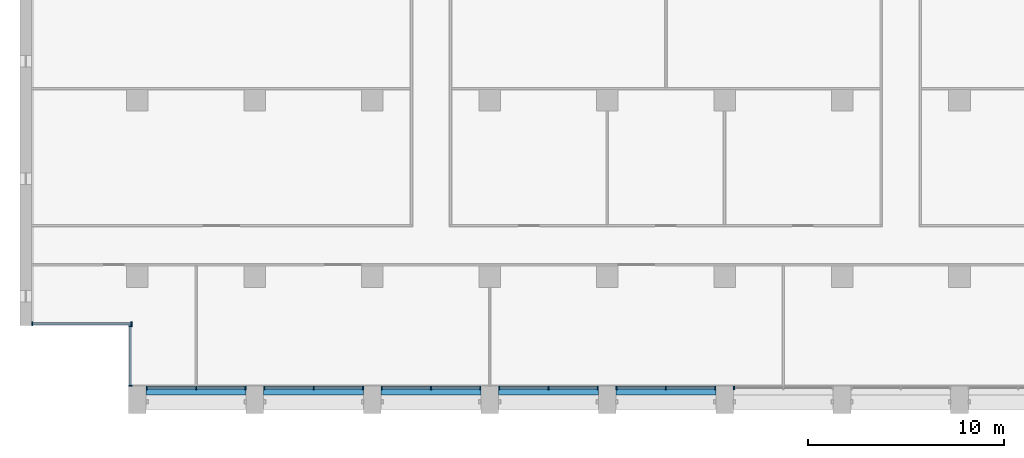
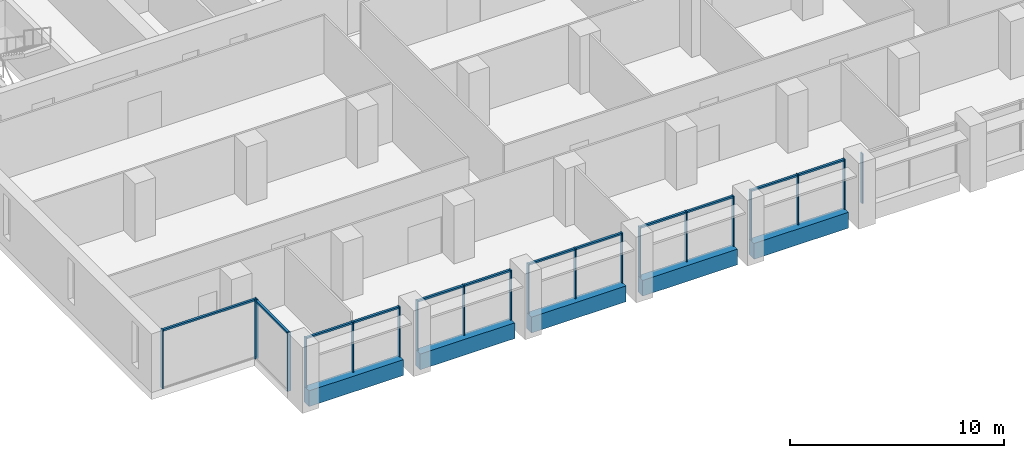
# One storey, part 2 of 17: 32 members, 5 beams, 8 elements without a shape of their own.
"""IFC4 building model written with IfcOpenShell, lengths in metres."""

from ifc_helpers import new_model, si_unit, direction, frame, origin, origin_2d, place, context, subcontext, project, spatial, rectangle, extrude, material, material_profile, profile_set, type_object, element, aggregate, save


model = new_model("IFC4")

# Units and contexts
model_context = context("Model", 3, precision=1e-05, world=origin(), true_north=direction((0.0, 1.0)))
body_context = subcontext(model_context, "Body", "Model", "MODEL_VIEW")
ifc_project = project(units=[si_unit("LENGTHUNIT", "METRE"), si_unit("AREAUNIT", "SQUARE_METRE"), si_unit("VOLUMEUNIT", "CUBIC_METRE"), si_unit("PLANEANGLEUNIT", "RADIAN"), si_unit("MASSUNIT", "GRAM", prefix="KILO")], contexts=[model_context])

# Site, building, storey
site_placement = place(None, origin())
site = spatial("IfcSite", under=ifc_project, at=site_placement, CompositionType="ELEMENT")
building_placement = place(site_placement, origin())
building = spatial("IfcBuilding", under=site, at=building_placement, Name="Calvaro Tower", CompositionType="ELEMENT")
storey_placement = place(building_placement, frame((0.0, 0.0, 189.25)))
storey = spatial("IfcBuildingStorey", under=building, at=storey_placement, Name="L47", CompositionType="ELEMENT", Elevation=189.25)

# Curtain wall, members
ifc_material_1 = material(Name="Anodised aluminium", Category="aluminium")
curtain_wall_type = type_object("IfcCurtainWallType", Name="Office curtain wall, upper zone", PredefinedType="NOTDEFINED", material=ifc_material_1)
curtain_wall_1_placement = place(storey_placement, origin())
curtain_wall_1 = element("IfcCurtainWall", 1, at=curtain_wall_1_placement, inside=storey, type_object=curtain_wall_type, Name="CW3 south curtain wall", PredefinedType="NOTDEFINED")
ifc_material_2 = material(Name="Anodised aluminium", Category="aluminium")
ifc_material_profile_1 = material_profile(ifc_material_2, rectangle(XDim=0.179931640625, YDim=0.06005859375, at=origin_2d()), Name="Mullion S3 60 x 180")
ifc_profile_set_1 = profile_set([ifc_material_profile_1], Name="Anodised aluminium")
member_type_1 = type_object("IfcMemberType", Name="Mullion S3 60 x 180", PredefinedType="MULLION", material=ifc_profile_set_1)
member_1_placement = place(storey_placement, frame((12.47998046875, 4.31005859375, 0.0), z_axis=(0.0, 0.0, 1.0), x_axis=(0.0, 1.0, 0.0)))
member_1 = element("IfcMember", 2, at=member_1_placement, type_object=member_type_1, Name="CW3 mullion 1", PredefinedType="MULLION", context=body_context, shape_type="SweptSolid", body=[
    extrude(rectangle(XDim=0.179931640625, YDim=0.06005859375, at=origin_2d()), origin(), (0.0, 0.0, 1.0), 2.85009765625),
])
member_2_placement = place(storey_placement, frame((15.0, 4.31005859375, 0.0), z_axis=(0.0, 0.0, 1.0), x_axis=(0.0, 1.0, 0.0)))
member_2 = element("IfcMember", 3, at=member_2_placement, type_object=member_type_1, Name="CW3 mullion 2", PredefinedType="MULLION", context=body_context, shape_type="SweptSolid", body=[
    extrude(rectangle(XDim=0.179931640625, YDim=0.06005859375, at=origin_2d()), origin(), (0.0, 0.0, 1.0), 2.85009765625),
])
member_3_placement = place(storey_placement, frame((17.52001953125, 4.31005859375, 0.0), z_axis=(0.0, 0.0, 1.0), x_axis=(0.0, 1.0, 0.0)))
member_3 = element("IfcMember", 4, at=member_3_placement, type_object=member_type_1, Name="CW3 mullion 3", PredefinedType="MULLION", context=body_context, shape_type="SweptSolid", body=[
    extrude(rectangle(XDim=0.179931640625, YDim=0.06005859375, at=origin_2d()), origin(), (0.0, 0.0, 1.0), 2.85009765625),
])

curtain_wall_2_placement = place(storey_placement, origin())
curtain_wall_2 = element("IfcCurtainWall", 5, at=curtain_wall_2_placement, inside=storey, type_object=curtain_wall_type, Name="CW3 south curtain wall", PredefinedType="NOTDEFINED")
member_4_placement = place(storey_placement, frame((18.47998046875, 4.31005859375, 0.0), z_axis=(0.0, 0.0, 1.0), x_axis=(0.0, 1.0, 0.0)))
member_4 = element("IfcMember", 6, at=member_4_placement, type_object=member_type_1, Name="CW3 mullion 1", PredefinedType="MULLION", context=body_context, shape_type="SweptSolid", body=[
    extrude(rectangle(XDim=0.179931640625, YDim=0.06005859375, at=origin_2d()), origin(), (0.0, 0.0, 1.0), 2.85009765625),
])
member_5_placement = place(storey_placement, frame((21.0, 4.31005859375, 0.0), z_axis=(0.0, 0.0, 1.0), x_axis=(0.0, 1.0, 0.0)))
member_5 = element("IfcMember", 7, at=member_5_placement, type_object=member_type_1, Name="CW3 mullion 2", PredefinedType="MULLION", context=body_context, shape_type="SweptSolid", body=[
    extrude(rectangle(XDim=0.179931640625, YDim=0.06005859375, at=origin_2d()), origin(), (0.0, 0.0, 1.0), 2.85009765625),
])
member_6_placement = place(storey_placement, frame((23.52001953125, 4.31005859375, 0.0), z_axis=(0.0, 0.0, 1.0), x_axis=(0.0, 1.0, 0.0)))
member_6 = element("IfcMember", 8, at=member_6_placement, type_object=member_type_1, Name="CW3 mullion 3", PredefinedType="MULLION", context=body_context, shape_type="SweptSolid", body=[
    extrude(rectangle(XDim=0.179931640625, YDim=0.06005859375, at=origin_2d()), origin(), (0.0, 0.0, 1.0), 2.85009765625),
])

curtain_wall_3_placement = place(storey_placement, origin())
curtain_wall_3 = element("IfcCurtainWall", 9, at=curtain_wall_3_placement, inside=storey, type_object=curtain_wall_type, Name="CW3 south curtain wall", PredefinedType="NOTDEFINED")
member_7_placement = place(storey_placement, frame((24.47998046875, 4.31005859375, 0.0), z_axis=(0.0, 0.0, 1.0), x_axis=(0.0, 1.0, 0.0)))
member_7 = element("IfcMember", 10, at=member_7_placement, type_object=member_type_1, Name="CW3 mullion 1", PredefinedType="MULLION", context=body_context, shape_type="SweptSolid", body=[
    extrude(rectangle(XDim=0.179931640625, YDim=0.06005859375, at=origin_2d()), origin(), (0.0, 0.0, 1.0), 2.85009765625),
])
member_8_placement = place(storey_placement, frame((27.0, 4.31005859375, 0.0), z_axis=(0.0, 0.0, 1.0), x_axis=(0.0, 1.0, 0.0)))
member_8 = element("IfcMember", 11, at=member_8_placement, type_object=member_type_1, Name="CW3 mullion 2", PredefinedType="MULLION", context=body_context, shape_type="SweptSolid", body=[
    extrude(rectangle(XDim=0.179931640625, YDim=0.06005859375, at=origin_2d()), origin(), (0.0, 0.0, 1.0), 2.85009765625),
])
member_9_placement = place(storey_placement, frame((29.52001953125, 4.31005859375, 0.0), z_axis=(0.0, 0.0, 1.0), x_axis=(0.0, 1.0, 0.0)))
member_9 = element("IfcMember", 12, at=member_9_placement, type_object=member_type_1, Name="CW3 mullion 3", PredefinedType="MULLION", context=body_context, shape_type="SweptSolid", body=[
    extrude(rectangle(XDim=0.179931640625, YDim=0.06005859375, at=origin_2d()), origin(), (0.0, 0.0, 1.0), 2.85009765625),
])

curtain_wall_4_placement = place(storey_placement, origin())
curtain_wall_4 = element("IfcCurtainWall", 13, at=curtain_wall_4_placement, inside=storey, type_object=curtain_wall_type, Name="CW3 south curtain wall", PredefinedType="NOTDEFINED")
member_10_placement = place(storey_placement, frame((30.47998046875, 4.31005859375, 0.0), z_axis=(0.0, 0.0, 1.0), x_axis=(0.0, 1.0, 0.0)))
member_10 = element("IfcMember", 14, at=member_10_placement, type_object=member_type_1, Name="CW3 mullion 1", PredefinedType="MULLION", context=body_context, shape_type="SweptSolid", body=[
    extrude(rectangle(XDim=0.179931640625, YDim=0.06005859375, at=origin_2d()), origin(), (0.0, 0.0, 1.0), 2.85009765625),
])
member_11_placement = place(storey_placement, frame((33.0, 4.31005859375, 0.0), z_axis=(0.0, 0.0, 1.0), x_axis=(0.0, 1.0, 0.0)))
member_11 = element("IfcMember", 15, at=member_11_placement, type_object=member_type_1, Name="CW3 mullion 2", PredefinedType="MULLION", context=body_context, shape_type="SweptSolid", body=[
    extrude(rectangle(XDim=0.179931640625, YDim=0.06005859375, at=origin_2d()), origin(), (0.0, 0.0, 1.0), 2.85009765625),
])
member_12_placement = place(storey_placement, frame((35.52001953125, 4.31005859375, 0.0), z_axis=(0.0, 0.0, 1.0), x_axis=(0.0, 1.0, 0.0)))
member_12 = element("IfcMember", 16, at=member_12_placement, type_object=member_type_1, Name="CW3 mullion 3", PredefinedType="MULLION", context=body_context, shape_type="SweptSolid", body=[
    extrude(rectangle(XDim=0.179931640625, YDim=0.06005859375, at=origin_2d()), origin(), (0.0, 0.0, 1.0), 2.85009765625),
])

curtain_wall_5_placement = place(storey_placement, origin())
curtain_wall_5 = element("IfcCurtainWall", 17, at=curtain_wall_5_placement, inside=storey, type_object=curtain_wall_type, Name="CW3 south curtain wall", PredefinedType="NOTDEFINED")
member_13_placement = place(storey_placement, frame((36.47998046875, 4.31005859375, 0.0), z_axis=(0.0, 0.0, 1.0), x_axis=(0.0, 1.0, 0.0)))
member_13 = element("IfcMember", 18, at=member_13_placement, type_object=member_type_1, Name="CW3 mullion 1", PredefinedType="MULLION", context=body_context, shape_type="SweptSolid", body=[
    extrude(rectangle(XDim=0.179931640625, YDim=0.06005859375, at=origin_2d()), origin(), (0.0, 0.0, 1.0), 2.85009765625),
])
member_14_placement = place(storey_placement, frame((39.0, 4.31005859375, 0.0), z_axis=(0.0, 0.0, 1.0), x_axis=(0.0, 1.0, 0.0)))
member_14 = element("IfcMember", 19, at=member_14_placement, type_object=member_type_1, Name="CW3 mullion 2", PredefinedType="MULLION", context=body_context, shape_type="SweptSolid", body=[
    extrude(rectangle(XDim=0.179931640625, YDim=0.06005859375, at=origin_2d()), origin(), (0.0, 0.0, 1.0), 2.85009765625),
])
member_15_placement = place(storey_placement, frame((41.52001953125, 4.31005859375, 0.0), z_axis=(0.0, 0.0, 1.0), x_axis=(0.0, 1.0, 0.0)))
member_15 = element("IfcMember", 20, at=member_15_placement, type_object=member_type_1, Name="CW3 mullion 3", PredefinedType="MULLION", context=body_context, shape_type="SweptSolid", body=[
    extrude(rectangle(XDim=0.179931640625, YDim=0.06005859375, at=origin_2d()), origin(), (0.0, 0.0, 1.0), 2.85009765625),
])

# Curtain wall, member
curtain_wall_6_placement = place(storey_placement, origin())
curtain_wall_6 = element("IfcCurtainWall", 21, at=curtain_wall_6_placement, inside=storey, type_object=curtain_wall_type, Name="CW3 south curtain wall", PredefinedType="NOTDEFINED")
member_16_placement = place(storey_placement, frame((42.47998046875, 4.31005859375, 0.0), z_axis=(0.0, 0.0, 1.0), x_axis=(0.0, 1.0, 0.0)))
member_16 = element("IfcMember", 22, at=member_16_placement, type_object=member_type_1, Name="CW3 mullion 1", PredefinedType="MULLION", context=body_context, shape_type="SweptSolid", body=[
    extrude(rectangle(XDim=0.179931640625, YDim=0.06005859375, at=origin_2d()), origin(), (0.0, 0.0, 1.0), 2.85009765625),
])
aggregate(curtain_wall_6, [member_16])

# Curtain wall, members
curtain_wall_7_placement = place(storey_placement, origin())
curtain_wall_7 = element("IfcCurtainWall", 23, at=curtain_wall_7_placement, inside=storey, type_object=curtain_wall_type, Name="CW3 corner curtain wall", PredefinedType="NOTDEFINED")
member_17_placement = place(storey_placement, frame((11.639892578125, 4.429931640625, 0.0), z_axis=(0.0, 0.0, 1.0), x_axis=(-1.0, 0.0, 0.0)))
member_17 = element("IfcMember", 24, at=member_17_placement, type_object=member_type_1, Name="CW3 mullion 1", PredefinedType="MULLION", context=body_context, shape_type="SweptSolid", body=[
    extrude(rectangle(XDim=0.179931640625, YDim=0.06005859375, at=origin_2d()), origin(), (0.0, 0.0, 1.0), 3.35009765625),
])
member_18_placement = place(storey_placement, frame((11.639892578125, 7.469970703125, 0.0), z_axis=(0.0, 0.0, 1.0), x_axis=(-1.0, 0.0, 0.0)))
member_18 = element("IfcMember", 25, at=member_18_placement, type_object=member_type_1, Name="CW3 mullion 2", PredefinedType="MULLION", context=body_context, shape_type="SweptSolid", body=[
    extrude(rectangle(XDim=0.179931640625, YDim=0.06005859375, at=origin_2d()), origin(), (0.0, 0.0, 1.0), 3.35009765625),
])

curtain_wall_8_placement = place(storey_placement, origin())
curtain_wall_8 = element("IfcCurtainWall", 26, at=curtain_wall_8_placement, inside=storey, type_object=curtain_wall_type, Name="CW3 corner curtain wall", PredefinedType="NOTDEFINED")
member_19_placement = place(storey_placement, frame((6.6298828125, 7.590087890625, 0.0), z_axis=(0.0, 0.0, 1.0), x_axis=(0.0, 1.0, 0.0)))
member_19 = element("IfcMember", 27, at=member_19_placement, type_object=member_type_1, Name="CW3 mullion 1", PredefinedType="MULLION", context=body_context, shape_type="SweptSolid", body=[
    extrude(rectangle(XDim=0.179931640625, YDim=0.06005859375, at=origin_2d()), origin(), (0.0, 0.0, 1.0), 3.35009765625),
])
member_20_placement = place(storey_placement, frame((11.699951171875, 7.590087890625, 0.0), z_axis=(0.0, 0.0, 1.0), x_axis=(0.0, 1.0, 0.0)))
member_20 = element("IfcMember", 28, at=member_20_placement, type_object=member_type_1, Name="CW3 mullion 2", PredefinedType="MULLION", context=body_context, shape_type="SweptSolid", body=[
    extrude(rectangle(XDim=0.179931640625, YDim=0.06005859375, at=origin_2d()), origin(), (0.0, 0.0, 1.0), 3.35009765625),
])

# Beams
ifc_material_3 = material(Name="Concrete C50/60 precast", Category="concrete")
ifc_material_profile_2 = material_profile(ifc_material_3, rectangle(XDim=0.449951171875, YDim=0.89990234375, at=origin_2d()), Name="RC 450x900")
ifc_profile_set_2 = profile_set([ifc_material_profile_2], Name="Concrete C50/60 precast")
beam_type = type_object("IfcBeamType", Name="Spandrel beam 450x900 C50/60", PredefinedType="SPANDREL", material=ifc_profile_set_2)
for number, where, z_axis, x_axis, name in (
    (29, (12.449951171875, 4.175048828125, -0.449951171875), (1.0, 0.0, 0.0), (0.0, 1.0, 0.0), "Spandrel beam"),
    (30, (18.449951171875, 4.175048828125, -0.449951171875), (1.0, 0.0, 0.0), (0.0, 1.0, 0.0), "Spandrel beam"),
    (31, (24.449951171875, 4.175048828125, -0.449951171875), (1.0, 0.0, 0.0), (0.0, 1.0, 0.0), "Spandrel beam"),
    (32, (30.449951171875, 4.175048828125, -0.449951171875), (1.0, 0.0, 0.0), (0.0, 1.0, 0.0), "Spandrel beam"),
    (33, (36.449951171875, 4.175048828125, -0.449951171875), (1.0, 0.0, 0.0), (0.0, 1.0, 0.0), "Spandrel beam"),
):
    element("IfcBeam", number, at=place(storey_placement, frame(where, z_axis=z_axis, x_axis=x_axis)), inside=storey, type_object=beam_type, Name=name, PredefinedType="SPANDREL", context=body_context, shape_type="SweptSolid", body=[
        extrude(rectangle(XDim=0.449951171875, YDim=0.89990234375, at=origin_2d()), origin(), (0.0, 0.0, 1.0), 5.10009765625),
    ])

# Member
ifc_material_4 = material(Name="Anodised aluminium", Category="aluminium")
ifc_material_profile_3 = material_profile(ifc_material_4, rectangle(XDim=0.1201171875, YDim=0.10009765625, at=origin_2d()), Name="Transom S3 100 x 120")
ifc_profile_set_3 = profile_set([ifc_material_profile_3], Name="Anodised aluminium")
member_type_2 = type_object("IfcMemberType", Name="Transom S3 100 x 120", PredefinedType="USERDEFINED", material=ifc_profile_set_3)
member_21_placement = place(storey_placement, frame((12.510009765625, 4.31005859375, 2.800048828125), z_axis=(1.0, 0.0, 0.0), x_axis=(0.0, 1.0, 0.0)))
member_21 = element("IfcMember", 34, at=member_21_placement, type_object=member_type_2, Name="CW3 transom 1.1", ObjectType="TRANSOM", PredefinedType="USERDEFINED", context=body_context, shape_type="SweptSolid", body=[
    extrude(rectangle(XDim=0.1201171875, YDim=0.10009765625, at=origin_2d()), origin(), (0.0, 0.0, 1.0), 2.4599609375),
])

member_22_placement = place(storey_placement, frame((15.030029296875, 4.31005859375, 2.800048828125), z_axis=(1.0, 0.0, 0.0), x_axis=(0.0, 1.0, 0.0)))
member_22 = element("IfcMember", 35, at=member_22_placement, type_object=member_type_2, Name="CW3 transom 2.1", ObjectType="TRANSOM", PredefinedType="USERDEFINED", context=body_context, shape_type="SweptSolid", body=[
    extrude(rectangle(XDim=0.1201171875, YDim=0.10009765625, at=origin_2d()), origin(), (0.0, 0.0, 1.0), 2.4599609375),
])

aggregate(curtain_wall_1, [member_1, member_2, member_3, member_21, member_22])

member_23_placement = place(storey_placement, frame((18.510009765625, 4.31005859375, 2.800048828125), z_axis=(1.0, 0.0, 0.0), x_axis=(0.0, 1.0, 0.0)))
member_23 = element("IfcMember", 36, at=member_23_placement, type_object=member_type_2, Name="CW3 transom 1.1", ObjectType="TRANSOM", PredefinedType="USERDEFINED", context=body_context, shape_type="SweptSolid", body=[
    extrude(rectangle(XDim=0.1201171875, YDim=0.10009765625, at=origin_2d()), origin(), (0.0, 0.0, 1.0), 2.4599609375),
])

member_24_placement = place(storey_placement, frame((21.030029296875, 4.31005859375, 2.800048828125), z_axis=(1.0, 0.0, 0.0), x_axis=(0.0, 1.0, 0.0)))
member_24 = element("IfcMember", 37, at=member_24_placement, type_object=member_type_2, Name="CW3 transom 2.1", ObjectType="TRANSOM", PredefinedType="USERDEFINED", context=body_context, shape_type="SweptSolid", body=[
    extrude(rectangle(XDim=0.1201171875, YDim=0.10009765625, at=origin_2d()), origin(), (0.0, 0.0, 1.0), 2.4599609375),
])

aggregate(curtain_wall_2, [member_4, member_5, member_6, member_23, member_24])

member_25_placement = place(storey_placement, frame((24.510009765625, 4.31005859375, 2.800048828125), z_axis=(1.0, 0.0, 0.0), x_axis=(0.0, 1.0, 0.0)))
member_25 = element("IfcMember", 38, at=member_25_placement, type_object=member_type_2, Name="CW3 transom 1.1", ObjectType="TRANSOM", PredefinedType="USERDEFINED", context=body_context, shape_type="SweptSolid", body=[
    extrude(rectangle(XDim=0.1201171875, YDim=0.10009765625, at=origin_2d()), origin(), (0.0, 0.0, 1.0), 2.4599609375),
])

member_26_placement = place(storey_placement, frame((27.030029296875, 4.31005859375, 2.800048828125), z_axis=(1.0, 0.0, 0.0), x_axis=(0.0, 1.0, 0.0)))
member_26 = element("IfcMember", 39, at=member_26_placement, type_object=member_type_2, Name="CW3 transom 2.1", ObjectType="TRANSOM", PredefinedType="USERDEFINED", context=body_context, shape_type="SweptSolid", body=[
    extrude(rectangle(XDim=0.1201171875, YDim=0.10009765625, at=origin_2d()), origin(), (0.0, 0.0, 1.0), 2.4599609375),
])

aggregate(curtain_wall_3, [member_7, member_8, member_9, member_25, member_26])

member_27_placement = place(storey_placement, frame((30.510009765625, 4.31005859375, 2.800048828125), z_axis=(1.0, 0.0, 0.0), x_axis=(0.0, 1.0, 0.0)))
member_27 = element("IfcMember", 40, at=member_27_placement, type_object=member_type_2, Name="CW3 transom 1.1", ObjectType="TRANSOM", PredefinedType="USERDEFINED", context=body_context, shape_type="SweptSolid", body=[
    extrude(rectangle(XDim=0.1201171875, YDim=0.10009765625, at=origin_2d()), origin(), (0.0, 0.0, 1.0), 2.4599609375),
])

member_28_placement = place(storey_placement, frame((33.030029296875, 4.31005859375, 2.800048828125), z_axis=(1.0, 0.0, 0.0), x_axis=(0.0, 1.0, 0.0)))
member_28 = element("IfcMember", 41, at=member_28_placement, type_object=member_type_2, Name="CW3 transom 2.1", ObjectType="TRANSOM", PredefinedType="USERDEFINED", context=body_context, shape_type="SweptSolid", body=[
    extrude(rectangle(XDim=0.1201171875, YDim=0.10009765625, at=origin_2d()), origin(), (0.0, 0.0, 1.0), 2.4599609375),
])

aggregate(curtain_wall_4, [member_10, member_11, member_12, member_27, member_28])

member_29_placement = place(storey_placement, frame((36.510009765625, 4.31005859375, 2.800048828125), z_axis=(1.0, 0.0, 0.0), x_axis=(0.0, 1.0, 0.0)))
member_29 = element("IfcMember", 42, at=member_29_placement, type_object=member_type_2, Name="CW3 transom 1.1", ObjectType="TRANSOM", PredefinedType="USERDEFINED", context=body_context, shape_type="SweptSolid", body=[
    extrude(rectangle(XDim=0.1201171875, YDim=0.10009765625, at=origin_2d()), origin(), (0.0, 0.0, 1.0), 2.4599609375),
])

member_30_placement = place(storey_placement, frame((39.030029296875, 4.31005859375, 2.800048828125), z_axis=(1.0, 0.0, 0.0), x_axis=(0.0, 1.0, 0.0)))
member_30 = element("IfcMember", 43, at=member_30_placement, type_object=member_type_2, Name="CW3 transom 2.1", ObjectType="TRANSOM", PredefinedType="USERDEFINED", context=body_context, shape_type="SweptSolid", body=[
    extrude(rectangle(XDim=0.1201171875, YDim=0.10009765625, at=origin_2d()), origin(), (0.0, 0.0, 1.0), 2.4599609375),
])

aggregate(curtain_wall_5, [member_13, member_14, member_15, member_29, member_30])

member_31_placement = place(storey_placement, frame((11.639892578125, 4.4599609375, 3.300048828125), z_axis=(0.0, 1.0, 0.0), x_axis=(-1.0, 0.0, 0.0)))
member_31 = element("IfcMember", 44, at=member_31_placement, type_object=member_type_2, Name="CW3 transom 1.1", ObjectType="TRANSOM", PredefinedType="USERDEFINED", context=body_context, shape_type="SweptSolid", body=[
    extrude(rectangle(XDim=0.1201171875, YDim=0.10009765625, at=origin_2d()), origin(), (0.0, 0.0, 1.0), 2.97998046875),
])

aggregate(curtain_wall_7, [member_17, member_18, member_31])

member_32_placement = place(storey_placement, frame((6.659912109375, 7.590087890625, 3.300048828125), z_axis=(1.0, 0.0, 0.0), x_axis=(0.0, 1.0, 0.0)))
member_32 = element("IfcMember", 45, at=member_32_placement, type_object=member_type_2, Name="CW3 transom 1.1", ObjectType="TRANSOM", PredefinedType="USERDEFINED", context=body_context, shape_type="SweptSolid", body=[
    extrude(rectangle(XDim=0.1201171875, YDim=0.10009765625, at=origin_2d()), origin(), (0.0, 0.0, 1.0), 5.010009765625),
])

aggregate(curtain_wall_8, [member_19, member_20, member_32])

save(model, "model.ifc")
